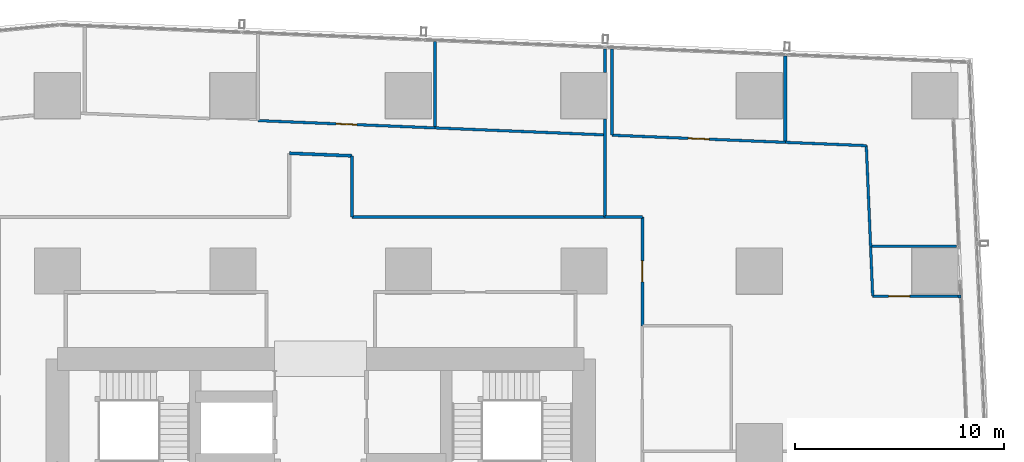
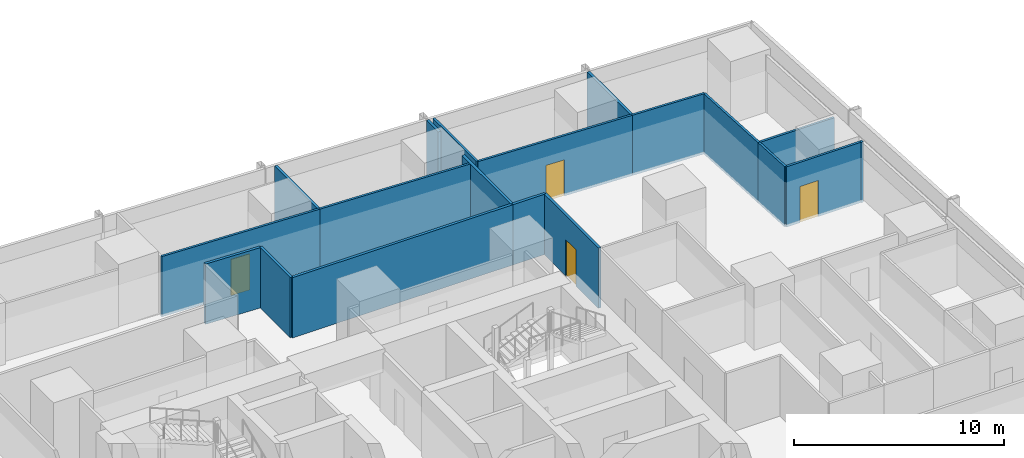
# One storey, part 35 of 45: 19 walls, 4 doors, 4 openings.
"""IFC4 building model written with IfcOpenShell, lengths in metres."""

from ifc_helpers import new_model, si_unit, direction, frame, frame_2d, origin, place, context, subcontext, project, spatial, rectangle, extrude, material, layer, layer_set, type_object, element, fill, save


model = new_model("IFC4")

# Units and contexts
model_context = context("Model", 3, precision=1e-05, world=origin(), true_north=direction((0.0, 1.0)))
body_context = subcontext(model_context, "Body", "Model", "MODEL_VIEW")
ifc_project = project(units=[si_unit("LENGTHUNIT", "METRE"), si_unit("AREAUNIT", "SQUARE_METRE"), si_unit("VOLUMEUNIT", "CUBIC_METRE"), si_unit("PLANEANGLEUNIT", "RADIAN"), si_unit("MASSUNIT", "GRAM", prefix="KILO")], contexts=[model_context])

# Site, building, storey
site_placement = place(None, origin())
site = spatial("IfcSite", under=ifc_project, at=site_placement, CompositionType="ELEMENT")
building_placement = place(site_placement, origin())
building = spatial("IfcBuilding", under=site, at=building_placement, Name="Rekha Terrace Tower", CompositionType="ELEMENT")
storey_placement = place(building_placement, frame((0.0, 0.0, 44.14990234375)))
storey = spatial("IfcBuildingStorey", under=building, at=storey_placement, Name="L10", CompositionType="ELEMENT", Elevation=44.14990234375)

# Wall, opening, door
ifc_material_1 = material(Name="Concrete block masonry, 1 hour", Category="masonry")
ifc_layer_1 = layer(ifc_material_1, 0.14990234375)
ifc_layer_set_1 = layer_set([ifc_layer_1], Name="Concrete block masonry, 1 hour")
wall_type_1 = type_object("IfcWallType", Name="WP2 150 tenancy partition", PredefinedType="PARTITIONING", material=ifc_layer_set_1)
wall_1_placement = place(storey_placement, frame((53.199951171875, 47.781982421875, 0.0), z_axis=(0.0, 0.0, 1.0), x_axis=(0.0, 1.0, 0.0)))
wall_1 = element("IfcWall", 1, at=wall_1_placement, inside=storey, type_object=wall_type_1, Name="Partition L10-O3", PredefinedType="PARTITIONING", context=body_context, shape_type="SweptSolid", body=[
    extrude(rectangle(XDim=5.218017578125, YDim=0.14990234375, at=frame_2d((2.60888671875, 0.0))), origin(), (0.0, 0.0, 1.0), 3.5),
])
opening_1_placement = place(wall_1_placement, frame((2.10888671875, 0.0, 0.0)))
opening_1 = element("IfcOpeningElement", 2, at=opening_1_placement, cuts=wall_1, Name="Opening D9", PredefinedType="OPENING", context=body_context, shape_type="SweptSolid", body=[
    extrude(rectangle(XDim=1.0, YDim=2.10009765625, at=frame_2d((0.5, 1.050048828125))), frame((0.0, 0.0849609375, 0.0), z_axis=(0.0, -1.0, 0.0), x_axis=(1.0, 0.0, 0.0)), (0.0, 0.0, 1.0), 0.169921875),
])
ifc_material_2 = material(Name="Timber fire door", Category="wood")
door_type = type_object("IfcDoorType", Name="D9 1000x2100 office door", OperationType="SINGLE_SWING_LEFT", PredefinedType="DOOR", material=ifc_material_2)
door_1_placement = place(opening_1_placement, origin())
door_1 = element("IfcDoor", 3, at=door_1_placement, inside=storey, type_object=door_type, Name="Door open-plan office L10", OperationType="SINGLE_SWING_LEFT", OverallHeight=2.10009765625, OverallWidth=1.0, PredefinedType="DOOR", context=body_context, shape_type="SweptSolid", body=[
    extrude(rectangle(XDim=1.0, YDim=2.10009765625, at=frame_2d((0.5, 1.050048828125))), frame((0.0, 0.02490234375, 0.0), z_axis=(0.0, -1.0, 0.0), x_axis=(1.0, 0.0, 0.0)), (0.0, 0.0, 1.0), 0.050048828125),
])
fill(opening_1, door_1)

# Walls
wall_2_placement = place(storey_placement, frame((53.199951171875, 53.0, 0.0), z_axis=(0.0, 0.0, 1.0), x_axis=(-1.0, 0.0, 0.0)))
element("IfcWall", 4, at=wall_2_placement, inside=storey, type_object=wall_type_1, Name="Partition L10-O3", PredefinedType="PARTITIONING", context=body_context, shape_type="SweptSolid", body=[
    extrude(rectangle(XDim=1.783935546875, YDim=0.14990234375, at=frame_2d((0.89208984375, 0.0))), origin(), (0.0, 0.0, 1.0), 3.5),
])
wall_3_placement = place(storey_placement, frame((51.416015625, 53.0, 0.0), z_axis=(0.0, 0.0, 1.0), x_axis=(0.0, 1.0, 0.0)))
element("IfcWall", 5, at=wall_3_placement, inside=storey, type_object=wall_type_1, Name="Partition L10-O3", PredefinedType="PARTITIONING", context=body_context, shape_type="SweptSolid", body=[
    extrude(rectangle(XDim=4.679931640625, YDim=0.14990234375, at=frame_2d((2.33984375, 0.0))), origin(), (0.0, 0.0, 1.0), 3.5),
])
wall_4_placement = place(storey_placement, frame((51.416015625, 59.919921875, 0.0), z_axis=(0.0, 0.0, 1.0), x_axis=(0.0, 1.0, 0.0)))
element("IfcWall", 6, at=wall_4_placement, inside=storey, type_object=wall_type_1, Name="Partition L10-O3", PredefinedType="PARTITIONING", context=body_context, shape_type="SweptSolid", body=[
    extrude(rectangle(XDim=1.1240234375, YDim=0.14990234375, at=frame_2d((0.56201171875, 0.0))), origin(), (0.0, 0.0, 1.0), 3.5),
])
wall_5_placement = place(storey_placement, frame((60.0380859375, 56.6279296875, 0.0), z_axis=(0.0, 0.0, 1.0), x_axis=(0.0, 1.0, 0.0)))
element("IfcWall", 7, at=wall_5_placement, inside=storey, type_object=wall_type_1, Name="Partition L10-O3", PredefinedType="PARTITIONING", context=body_context, shape_type="SweptSolid", body=[
    extrude(rectangle(XDim=4.06103515625, YDim=0.14990234375, at=frame_2d((2.030517578125, 0.0))), origin(), (0.0, 0.0, 1.0), 3.5),
])
wall_6_placement = place(storey_placement, frame((43.27197265625, 57.320068359375, 0.0), z_axis=(0.0, 0.0, 1.0), x_axis=(0.0, 1.0, 0.0)))
element("IfcWall", 8, at=wall_6_placement, inside=storey, type_object=wall_type_1, Name="Partition L10-O4", PredefinedType="PARTITIONING", context=body_context, shape_type="SweptSolid", body=[
    extrude(rectangle(XDim=4.059814453125, YDim=0.14990234375, at=frame_2d((2.02978515625, 0.0))), origin(), (0.0, 0.0, 1.0), 3.5),
])
wall_7_placement = place(storey_placement, frame((51.4150390625, 53.0, 0.0), z_axis=(0.0, 0.0, 1.0), x_axis=(-1.0, 0.0, 0.0)))
element("IfcWall", 9, at=wall_7_placement, inside=storey, type_object=wall_type_1, Name="Partition L10-O4", PredefinedType="PARTITIONING", context=body_context, shape_type="SweptSolid", body=[
    extrude(rectangle(XDim=12.114990234375, YDim=0.14990234375, at=frame_2d((6.0576171875, 0.0))), origin(), (0.0, 0.0, 1.0), 3.5),
])
wall_8_placement = place(storey_placement, frame((39.300048828125, 53.0, 0.0), z_axis=(0.0, 0.0, 1.0), x_axis=(0.0, 1.0, 0.0)))
element("IfcWall", 10, at=wall_8_placement, inside=storey, type_object=wall_type_1, Name="Partition L10-O4", PredefinedType="PARTITIONING", context=body_context, shape_type="SweptSolid", body=[
    extrude(rectangle(XDim=2.9189453125, YDim=0.14990234375, at=frame_2d((1.45947265625, 0.0))), origin(), (0.0, 0.0, 1.0), 3.5),
])
wall_9_placement = place(storey_placement, frame((39.300048828125, 55.9189453125, 0.0), z_axis=(0.0, 0.0, 1.0), x_axis=(-0.999146548644, 0.041305863176, 0.0)))
element("IfcWall", 11, at=wall_9_placement, inside=storey, type_object=wall_type_1, Name="Partition L10-O4", PredefinedType="PARTITIONING", context=body_context, shape_type="SweptSolid", body=[
    extrude(rectangle(XDim=3.00244140625, YDim=0.14990234375, at=frame_2d((1.501220703125, 0.0))), origin(), (0.0, 0.0, 1.0), 3.5),
])

# Wall, opening, door
ifc_material_3 = material(Name="Two layers of fire-rated gypsum board each side on steel studs, acoustic quilt, 1 hour", Category="steel")
ifc_layer_2 = layer(ifc_material_3, 0.125)
ifc_layer_set_2 = layer_set([ifc_layer_2], Name="Two layers of fire-rated gypsum board each side on steel studs, acoustic quilt, 1 hour")
wall_type_2 = type_object("IfcWallType", Name="WP3 125 office partition", PredefinedType="PARTITIONING", material=ifc_layer_set_2)
wall_10_placement = place(storey_placement, frame((68.3759765625, 49.202880859375, 0.0), z_axis=(0.0, 0.0, 1.0), x_axis=(-1.0, 0.0, 0.0)))
wall_10 = element("IfcWall", 12, at=wall_10_placement, inside=storey, type_object=wall_type_2, Name="Partition L10-09", PredefinedType="PARTITIONING", context=body_context, shape_type="SweptSolid", body=[
    extrude(rectangle(XDim=4.154052734375, YDim=0.125, at=frame_2d((2.0771484375, 0.0))), origin(), (0.0, 0.0, 1.0), 3.5),
])
opening_2_placement = place(wall_10_placement, frame((2.39208984375, 0.0, 0.0)))
opening_2 = element("IfcOpeningElement", 13, at=opening_2_placement, cuts=wall_10, Name="Opening D9", PredefinedType="OPENING", context=body_context, shape_type="SweptSolid", body=[
    extrude(rectangle(XDim=1.0, YDim=2.10009765625, at=frame_2d((0.5, 1.050048828125))), frame((0.0, 0.072509765625, 0.0), z_axis=(0.0, -1.0, 0.0), x_axis=(1.0, 0.0, 0.0)), (0.0, 0.0, 1.0), 0.14501953125),
])
door_2_placement = place(opening_2_placement, origin())
door_2 = element("IfcDoor", 14, at=door_2_placement, inside=storey, type_object=door_type, Name="Door office L10", OperationType="SINGLE_SWING_LEFT", OverallHeight=2.10009765625, OverallWidth=1.0, PredefinedType="DOOR", context=body_context, shape_type="SweptSolid", body=[
    extrude(rectangle(XDim=1.0, YDim=2.10009765625, at=frame_2d((0.5, 1.050048828125))), frame((0.0, 0.02490234375, 0.0), z_axis=(0.0, -1.0, 0.0), x_axis=(1.0, 0.0, 0.0)), (0.0, 0.0, 1.0), 0.050048828125),
])
fill(opening_2, door_2)

# Walls
wall_11_placement = place(storey_placement, frame((64.221923828125, 49.202880859375, 0.0), z_axis=(0.0, 0.0, 1.0), x_axis=(-0.042398031424, 0.999100799185, 0.0)))
element("IfcWall", 15, at=wall_11_placement, inside=storey, type_object=wall_type_2, Name="Partition L10-09", PredefinedType="PARTITIONING", context=body_context, shape_type="SweptSolid", body=[
    extrude(rectangle(XDim=2.355224609375, YDim=0.125, at=frame_2d((1.177734375, 0.0))), origin(), (0.0, 0.0, 1.0), 3.5),
])
wall_12_placement = place(storey_placement, frame((64.18310546875, 51.593017578125, 0.0), z_axis=(0.0, 0.0, 1.0), x_axis=(1.0, 0.0, 0.0)))
element("IfcWall", 16, at=wall_12_placement, inside=storey, type_object=wall_type_2, Name="Partition L10-09", PredefinedType="PARTITIONING", context=body_context, shape_type="SweptSolid", body=[
    extrude(rectangle(XDim=4.060791015625, YDim=0.125, at=frame_2d((2.0302734375, 0.0))), origin(), (0.0, 0.0, 1.0), 3.5),
])
wall_13_placement = place(storey_placement, frame((64.1220703125, 51.556884765625, 0.0), z_axis=(0.0, 0.0, 1.0), x_axis=(-0.042655733352, 0.999089830001, 0.0)))
element("IfcWall", 17, at=wall_13_placement, inside=storey, type_object=wall_type_2, Name="Partition L10-10", PredefinedType="PARTITIONING", context=body_context, shape_type="SweptSolid", body=[
    extrude(rectangle(XDim=4.853515625, YDim=0.125, at=frame_2d((2.4267578125, 0.0))), origin(), (0.0, 0.0, 1.0), 3.5),
])
wall_14_placement = place(storey_placement, frame((63.9150390625, 56.406005859375, 0.0), z_axis=(0.0, 0.0, 1.0), x_axis=(-0.999159919044, 0.040981168555, 0.0)))
element("IfcWall", 18, at=wall_14_placement, inside=storey, type_object=wall_type_2, Name="Partition L10-10", PredefinedType="PARTITIONING", context=body_context, shape_type="SweptSolid", body=[
    extrude(rectangle(XDim=3.878173828125, YDim=0.125, at=frame_2d((1.93896484375, 0.0))), origin(), (0.0, 0.0, 1.0), 3.5),
])

# Wall, opening, door
wall_15_placement = place(storey_placement, frame((60.0400390625, 56.56494140625, 0.0), z_axis=(0.0, 0.0, 1.0), x_axis=(-0.999150720749, 0.041204820434, 0.0)))
wall_15 = element("IfcWall", 19, at=wall_15_placement, inside=storey, type_object=wall_type_2, Name="Partition L10-10", PredefinedType="PARTITIONING", context=body_context, shape_type="SweptSolid", body=[
    extrude(rectangle(XDim=8.301025390625, YDim=0.125, at=frame_2d((4.150390625, 0.0))), origin(), (0.0, 0.0, 1.0), 3.5),
])
opening_3_placement = place(wall_15_placement, frame((3.65087890625, 0.0, 0.0)))
opening_3 = element("IfcOpeningElement", 20, at=opening_3_placement, cuts=wall_15, Name="Opening D9", PredefinedType="OPENING", context=body_context, shape_type="SweptSolid", body=[
    extrude(rectangle(XDim=1.0, YDim=2.10009765625, at=frame_2d((0.5, 1.050048828125))), frame((0.0, 0.072509765625, 0.0), z_axis=(0.0, -1.0, 0.0), x_axis=(1.0, 0.0, 0.0)), (0.0, 0.0, 1.0), 0.14501953125),
])
door_3_placement = place(opening_3_placement, origin())
door_3 = element("IfcDoor", 21, at=door_3_placement, inside=storey, type_object=door_type, Name="Door manager's office L10", OperationType="SINGLE_SWING_LEFT", OverallHeight=2.10009765625, OverallWidth=1.0, PredefinedType="DOOR", context=body_context, shape_type="SweptSolid", body=[
    extrude(rectangle(XDim=1.0, YDim=2.10009765625, at=frame_2d((0.5, 1.050048828125))), frame((0.0, 0.02490234375, 0.0), z_axis=(0.0, -1.0, 0.0), x_axis=(1.0, 0.0, 0.0)), (0.0, 0.0, 1.0), 0.050048828125),
])
fill(opening_3, door_3)

# Walls
wall_16_placement = place(storey_placement, frame((51.74609375, 56.906982421875, 0.0), z_axis=(0.0, 0.0, 1.0), x_axis=(0.0, 1.0, 0.0)))
element("IfcWall", 22, at=wall_16_placement, inside=storey, type_object=wall_type_2, Name="Partition L10-10", PredefinedType="PARTITIONING", context=body_context, shape_type="SweptSolid", body=[
    extrude(rectangle(XDim=4.1240234375, YDim=0.125, at=frame_2d((2.06201171875, 0.0))), origin(), (0.0, 0.0, 1.0), 3.5),
])
wall_17_placement = place(storey_placement, frame((51.341064453125, 56.924072265625, 0.0), z_axis=(0.0, 0.0, 1.0), x_axis=(-0.999149086902, 0.04124441953, 0.0)))
element("IfcWall", 23, at=wall_17_placement, inside=storey, type_object=wall_type_2, Name="Partition L10-12", PredefinedType="PARTITIONING", context=body_context, shape_type="SweptSolid", body=[
    extrude(rectangle(XDim=8.073974609375, YDim=0.125, at=frame_2d((4.037109375, 0.0))), origin(), (0.0, 0.0, 1.0), 3.5),
])

# Wall, opening, door
wall_18_placement = place(storey_placement, frame((43.27392578125, 57.257080078125, 0.0), z_axis=(0.0, 0.0, 1.0), x_axis=(-0.999153360444, 0.041140762198, 0.0)))
wall_18 = element("IfcWall", 24, at=wall_18_placement, inside=storey, type_object=wall_type_2, Name="Partition L10-12", PredefinedType="PARTITIONING", context=body_context, shape_type="SweptSolid", body=[
    extrude(rectangle(XDim=8.47998046875, YDim=0.125, at=frame_2d((4.239990234375, 0.0))), origin(), (0.0, 0.0, 1.0), 3.5),
])
opening_4_placement = place(wall_18_placement, frame((3.739990234375, 0.0, 0.0)))
opening_4 = element("IfcOpeningElement", 25, at=opening_4_placement, cuts=wall_18, Name="Opening D9", PredefinedType="OPENING", context=body_context, shape_type="SweptSolid", body=[
    extrude(rectangle(XDim=1.0, YDim=2.10009765625, at=frame_2d((0.5, 1.050048828125))), frame((0.0, 0.072509765625, 0.0), z_axis=(0.0, -1.0, 0.0), x_axis=(1.0, 0.0, 0.0)), (0.0, 0.0, 1.0), 0.14501953125),
])
door_4_placement = place(opening_4_placement, origin())
door_4 = element("IfcDoor", 26, at=door_4_placement, inside=storey, type_object=door_type, Name="Door office L10", OperationType="SINGLE_SWING_LEFT", OverallHeight=2.10009765625, OverallWidth=1.0, PredefinedType="DOOR", context=body_context, shape_type="SweptSolid", body=[
    extrude(rectangle(XDim=1.0, YDim=2.10009765625, at=frame_2d((0.5, 1.050048828125))), frame((0.0, 0.02490234375, 0.0), z_axis=(0.0, -1.0, 0.0), x_axis=(1.0, 0.0, 0.0)), (0.0, 0.0, 1.0), 0.050048828125),
])
fill(opening_4, door_4)

# Wall
wall_19_placement = place(storey_placement, frame((68.3759765625, 49.26611328125, 0.0), z_axis=(0.0, 0.0, 1.0), x_axis=(0.0, -1.0, 0.0)))
element("IfcWall", 27, at=wall_19_placement, inside=storey, type_object=wall_type_2, Name="Partition L10-09", PredefinedType="PARTITIONING", context=body_context, shape_type="SweptSolid", body=[
    extrude(rectangle(XDim=0.151123046875, YDim=0.125, at=frame_2d((0.07568359375, 0.0))), origin(), (0.0, 0.0, 1.0), 3.5),
])

save(model, "model.ifc")
